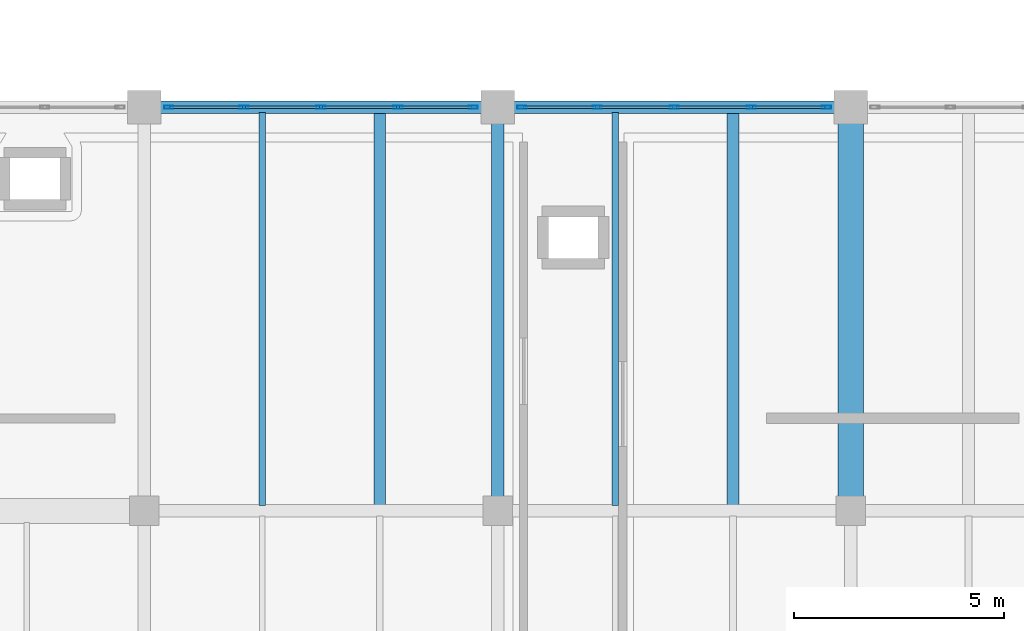
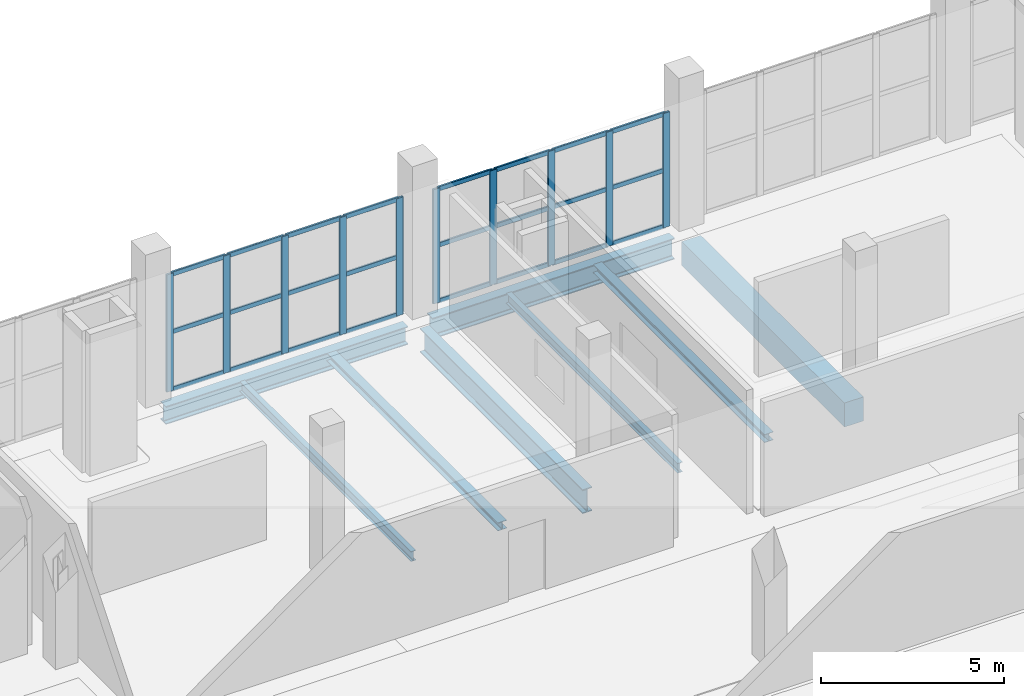
# One storey, part 18 of 77: 34 members, 8 beams, 2 elements without a shape of their own.
"""IFC4 building model written with IfcOpenShell, lengths in metres."""

from ifc_helpers import new_model, si_unit, direction, frame, origin, origin_2d, place, context, subcontext, project, spatial, rectangle, hollow_rectangle, i_section, extrude, material, layer, layer_set, material_profile, profile_set, type_object, element, aggregate, save


model = new_model("IFC4")

# Units and contexts
model_context = context("Model", 3, precision=1e-05, world=origin(), true_north=direction((0.0, 1.0)))
body_context = subcontext(model_context, "Body", "Model", "MODEL_VIEW")
ifc_project = project(units=[si_unit("LENGTHUNIT", "METRE"), si_unit("AREAUNIT", "SQUARE_METRE"), si_unit("VOLUMEUNIT", "CUBIC_METRE"), si_unit("PLANEANGLEUNIT", "RADIAN"), si_unit("MASSUNIT", "GRAM", prefix="KILO")], contexts=[model_context])

# Site, building, storey
site_placement = place(None, origin())
site = spatial("IfcSite", under=ifc_project, at=site_placement, CompositionType="ELEMENT")
building_placement = place(site_placement, origin())
building = spatial("IfcBuilding", under=site, at=building_placement, Name="Zulmaris Art Gallery", CompositionType="ELEMENT")
storey_placement = place(building_placement, frame((0.0, 0.0, 15.60009765625)))
storey = spatial("IfcBuildingStorey", under=building, at=storey_placement, Name="L03", CompositionType="ELEMENT", Elevation=15.60009765625)

# Beams
ifc_material_1 = material(Name="Steel S355J2", Category="steel")
ifc_material_profile_1 = material_profile(ifc_material_1, i_section(OverallWidth=0.300048828125, OverallDepth=0.60009765625, WebThickness=0.015380859375, FlangeThickness=0.030029296875, FilletRadius=0.027099609375, at=origin_2d()), Name="HEB 600")
ifc_profile_set_1 = profile_set([ifc_material_profile_1], Name="Steel S355J2")
beam_type_1 = type_object("IfcBeamType", Name="BEAM-BM15", PredefinedType="BEAM", material=ifc_profile_set_1)
beam_1_placement = place(storey_placement, frame((49.5849609375, 50.39990234375, -0.670166015625), z_axis=(1.0, 0.0, 0.0), x_axis=(0.0, 1.0, 0.0)))
element("IfcBeam", 1, at=beam_1_placement, inside=storey, type_object=beam_type_1, Name="L03 X-girder (49.2..57.6, y=50.4)", PredefinedType="BEAM", context=body_context, shape_type="SweptSolid", body=[
    extrude(i_section(OverallWidth=0.300048828125, OverallDepth=0.60009765625, WebThickness=0.015380859375, FlangeThickness=0.030029296875, FilletRadius=0.027099609375, at=origin_2d()), origin(), (0.0, 0.0, 1.0), 7.630126953125),
])
ifc_material_profile_2 = material_profile(ifc_material_1, i_section(OverallWidth=0.300048828125, OverallDepth=0.699951171875, WebThickness=0.01708984375, FlangeThickness=0.031982421875, FilletRadius=0.027099609375, at=origin_2d()), Name="HEB 700")
ifc_profile_set_2 = profile_set([ifc_material_profile_2], Name="Steel S355J2")
beam_type_2 = type_object("IfcBeamType", Name="BEAM-BM16", PredefinedType="BEAM", material=ifc_profile_set_2)
beam_2_placement = place(storey_placement, frame((57.985107421875, 50.39990234375, -0.72021484375), z_axis=(1.0, 0.0, 0.0), x_axis=(0.0, 1.0, 0.0)))
element("IfcBeam", 2, at=beam_2_placement, inside=storey, type_object=beam_type_2, Name="L03 X-girder (57.6..66.0, y=50.4)", PredefinedType="BEAM", context=body_context, shape_type="SweptSolid", body=[
    extrude(i_section(OverallWidth=0.300048828125, OverallDepth=0.699951171875, WebThickness=0.01708984375, FlangeThickness=0.031982421875, FilletRadius=0.027099609375, at=origin_2d()), origin(), (0.0, 0.0, 1.0), 7.6298828125),
])
ifc_material_profile_3 = material_profile(ifc_material_1, i_section(OverallWidth=0.300048828125, OverallDepth=0.800048828125, WebThickness=0.017578125, FlangeThickness=0.032958984375, FilletRadius=0.030029296875, at=origin_2d()), Name="HEB 800")
ifc_profile_set_3 = profile_set([ifc_material_profile_3], Name="Steel S355J2")
beam_type_3 = type_object("IfcBeamType", Name="BEAM-BM17", PredefinedType="BEAM", material=ifc_profile_set_3)
beam_3_placement = place(storey_placement, frame((57.60009765625, 41.135009765625, -0.77001953125), z_axis=(0.0, 1.0, 0.0), x_axis=(-1.0, 0.0, 0.0)))
element("IfcBeam", 3, at=beam_3_placement, inside=storey, type_object=beam_type_3, Name="L03 Y-girder (x=57.6, 40.8..50.4)", PredefinedType="BEAM", context=body_context, shape_type="SweptSolid", body=[
    extrude(i_section(OverallWidth=0.300048828125, OverallDepth=0.800048828125, WebThickness=0.017578125, FlangeThickness=0.032958984375, FilletRadius=0.030029296875, at=origin_2d()), origin(), (0.0, 0.0, 1.0), 8.8798828125),
])
ifc_material_2 = material(Name="Concrete C40/50", Category="concrete")
ifc_material_profile_4 = material_profile(ifc_material_2, rectangle(XDim=0.60009765625, YDim=0.800048828125, at=origin_2d()), Name="RC 600x800")
ifc_profile_set_4 = profile_set([ifc_material_profile_4], Name="Concrete C40/50")
beam_type_4 = type_object("IfcBeamType", Name="BEAM-BM27", PredefinedType="BEAM", material=ifc_profile_set_4)
beam_4_placement = place(storey_placement, frame((66.0, 41.135009765625, -0.77001953125), z_axis=(0.0, 1.0, 0.0), x_axis=(-1.0, 0.0, 0.0)))
element("IfcBeam", 4, at=beam_4_placement, inside=storey, type_object=beam_type_4, Name="L03 Y-girder (x=66.0, 40.8..50.4)", PredefinedType="BEAM", context=body_context, shape_type="SweptSolid", body=[
    extrude(rectangle(XDim=0.60009765625, YDim=0.800048828125, at=origin_2d()), origin(), (0.0, 0.0, 1.0), 8.8798828125),
])
ifc_material_profile_5 = material_profile(ifc_material_1, i_section(OverallWidth=0.159912109375, OverallDepth=0.330078125, WebThickness=0.007568359375, FlangeThickness=0.011474609375, FilletRadius=0.01806640625, at=origin_2d()), Name="IPE 330")
ifc_profile_set_5 = profile_set([ifc_material_profile_5], Name="Steel S355J2")
beam_type_5 = type_object("IfcBeamType", Name="BEAM-JS03", PredefinedType="JOIST", material=ifc_profile_set_5)
for number, where, z_axis, x_axis, name in (
    (5, (52.0, 40.925048828125, -0.53515625), (0.0, 1.0, 0.0), (-1.0, 0.0, 0.0), "L03 secondary joist at x=52.0"),
    (6, (60.39990234375, 40.925048828125, -0.53515625), (0.0, 1.0, 0.0), (-1.0, 0.0, 0.0), "L03 secondary joist at x=60.4"),
):
    element("IfcBeam", number, at=place(storey_placement, frame(where, z_axis=z_axis, x_axis=x_axis)), inside=storey, type_object=beam_type_5, Name=name, PredefinedType="JOIST", context=body_context, shape_type="SweptSolid", body=[
        extrude(i_section(OverallWidth=0.159912109375, OverallDepth=0.330078125, WebThickness=0.007568359375, FlangeThickness=0.011474609375, FilletRadius=0.01806640625, at=origin_2d()), origin(), (0.0, 0.0, 1.0), 9.349853515625),
    ])
ifc_material_profile_6 = material_profile(ifc_material_1, i_section(OverallWidth=0.280029296875, OverallDepth=0.27001953125, WebThickness=0.008056640625, FlangeThickness=0.012939453125, FilletRadius=0.02392578125, at=origin_2d()), Name="HEA 280")
ifc_profile_set_6 = profile_set([ifc_material_profile_6], Name="Steel S355J2")
beam_type_6 = type_object("IfcBeamType", Name="BEAM-JS04", PredefinedType="JOIST", material=ifc_profile_set_6)
for number, where, z_axis, x_axis, name in (
    (7, (54.800048828125, 40.925048828125, -0.505126953125), (0.0, 1.0, 0.0), (-1.0, 0.0, 0.0), "L03 secondary joist at x=54.8"),
    (8, (63.199951171875, 40.925048828125, -0.505126953125), (0.0, 1.0, 0.0), (-1.0, 0.0, 0.0), "L03 secondary joist at x=63.2"),
):
    element("IfcBeam", number, at=place(storey_placement, frame(where, z_axis=z_axis, x_axis=x_axis)), inside=storey, type_object=beam_type_6, Name=name, PredefinedType="JOIST", context=body_context, shape_type="SweptSolid", body=[
        extrude(i_section(OverallWidth=0.280029296875, OverallDepth=0.27001953125, WebThickness=0.008056640625, FlangeThickness=0.012939453125, FilletRadius=0.02392578125, at=origin_2d()), origin(), (0.0, 0.0, 1.0), 9.349853515625),
    ])

# Curtain wall, members
ifc_material_3 = material(Name="Unitised Low-E Gallery Curtain Wall", Category="aluminium")
ifc_layer = layer(ifc_material_3, 0.179931640625)
ifc_layer_set = layer_set([ifc_layer], Name="Unitised Low-E Gallery Curtain Wall")
curtain_wall_type = type_object("IfcCurtainWallType", Name="CW-CW01", PredefinedType="NOTDEFINED", material=ifc_layer_set)
curtain_wall_1_placement = place(storey_placement, origin())
curtain_wall_1 = element("IfcCurtainWall", 9, at=curtain_wall_1_placement, inside=storey, type_object=curtain_wall_type, Name="L03 curtain wall 10", PredefinedType="NOTDEFINED")
ifc_material_4 = material(Name="Anodised Bronze Aluminium", Category="aluminium")
ifc_material_profile_7 = material_profile(ifc_material_4, hollow_rectangle(XDim=0.074951171875, YDim=0.219970703125, WallThickness=0.0048828125, InnerFilletRadius=0.007568359375, OuterFilletRadius=0.012451171875, at=origin_2d()), Name="ALU 75x220x5")
ifc_profile_set_7 = profile_set([ifc_material_profile_7], Name="Anodised Bronze Aluminium")
member_type_1 = type_object("IfcMemberType", Name="CWMUL-02", PredefinedType="MULLION", material=ifc_profile_set_7)
member_1_placement = place(storey_placement, frame((57.0224609375, 50.39990234375, 0.0), z_axis=(0.0, 0.0, 1.0), x_axis=(0.0, -1.0, 0.0)))
member_1 = element("IfcMember", 10, at=member_1_placement, type_object=member_type_1, Name="CW01 mullion 1", PredefinedType="MULLION", context=body_context, shape_type="SweptSolid", body=[
    extrude(hollow_rectangle(XDim=0.074951171875, YDim=0.219970703125, WallThickness=0.0048828125, InnerFilletRadius=0.007568359375, OuterFilletRadius=0.012451171875, at=origin_2d()), origin(), (0.0, 0.0, 1.0), 3.909912109375),
])
member_2_placement = place(storey_placement, frame((55.22998046875, 50.39990234375, 0.0), z_axis=(0.0, 0.0, 1.0), x_axis=(0.0, -1.0, 0.0)))
member_2 = element("IfcMember", 11, at=member_2_placement, type_object=member_type_1, Name="CW01 mullion 2", PredefinedType="MULLION", context=body_context, shape_type="SweptSolid", body=[
    extrude(hollow_rectangle(XDim=0.074951171875, YDim=0.219970703125, WallThickness=0.0048828125, InnerFilletRadius=0.007568359375, OuterFilletRadius=0.012451171875, at=origin_2d()), origin(), (0.0, 0.0, 1.0), 3.909912109375),
])
member_3_placement = place(storey_placement, frame((53.39990234375, 50.39990234375, 0.0), z_axis=(0.0, 0.0, 1.0), x_axis=(0.0, -1.0, 0.0)))
member_3 = element("IfcMember", 12, at=member_3_placement, type_object=member_type_1, Name="CW01 mullion 3", PredefinedType="MULLION", context=body_context, shape_type="SweptSolid", body=[
    extrude(hollow_rectangle(XDim=0.074951171875, YDim=0.219970703125, WallThickness=0.0048828125, InnerFilletRadius=0.007568359375, OuterFilletRadius=0.012451171875, at=origin_2d()), origin(), (0.0, 0.0, 1.0), 3.909912109375),
])
member_4_placement = place(storey_placement, frame((51.570068359375, 50.39990234375, 0.0), z_axis=(0.0, 0.0, 1.0), x_axis=(0.0, -1.0, 0.0)))
member_4 = element("IfcMember", 13, at=member_4_placement, type_object=member_type_1, Name="CW01 mullion 4", PredefinedType="MULLION", context=body_context, shape_type="SweptSolid", body=[
    extrude(hollow_rectangle(XDim=0.074951171875, YDim=0.219970703125, WallThickness=0.0048828125, InnerFilletRadius=0.007568359375, OuterFilletRadius=0.012451171875, at=origin_2d()), origin(), (0.0, 0.0, 1.0), 3.909912109375),
])
member_5_placement = place(storey_placement, frame((49.777587890625, 50.39990234375, 0.0), z_axis=(0.0, 0.0, 1.0), x_axis=(0.0, -1.0, 0.0)))
member_5 = element("IfcMember", 14, at=member_5_placement, type_object=member_type_1, Name="CW01 mullion 5", PredefinedType="MULLION", context=body_context, shape_type="SweptSolid", body=[
    extrude(hollow_rectangle(XDim=0.074951171875, YDim=0.219970703125, WallThickness=0.0048828125, InnerFilletRadius=0.007568359375, OuterFilletRadius=0.012451171875, at=origin_2d()), origin(), (0.0, 0.0, 1.0), 3.909912109375),
])

curtain_wall_2_placement = place(storey_placement, origin())
curtain_wall_2 = element("IfcCurtainWall", 15, at=curtain_wall_2_placement, inside=storey, type_object=curtain_wall_type, Name="L03 curtain wall 12", PredefinedType="NOTDEFINED")
member_6_placement = place(storey_placement, frame((65.422607421875, 50.39990234375, 0.0), z_axis=(0.0, 0.0, 1.0), x_axis=(0.0, -1.0, 0.0)))
member_6 = element("IfcMember", 16, at=member_6_placement, type_object=member_type_1, Name="CW01 mullion 1", PredefinedType="MULLION", context=body_context, shape_type="SweptSolid", body=[
    extrude(hollow_rectangle(XDim=0.074951171875, YDim=0.219970703125, WallThickness=0.0048828125, InnerFilletRadius=0.007568359375, OuterFilletRadius=0.012451171875, at=origin_2d()), origin(), (0.0, 0.0, 1.0), 3.809814453125),
])
member_7_placement = place(storey_placement, frame((63.6298828125, 50.39990234375, 0.0), z_axis=(0.0, 0.0, 1.0), x_axis=(0.0, -1.0, 0.0)))
member_7 = element("IfcMember", 17, at=member_7_placement, type_object=member_type_1, Name="CW01 mullion 2", PredefinedType="MULLION", context=body_context, shape_type="SweptSolid", body=[
    extrude(hollow_rectangle(XDim=0.074951171875, YDim=0.219970703125, WallThickness=0.0048828125, InnerFilletRadius=0.007568359375, OuterFilletRadius=0.012451171875, at=origin_2d()), origin(), (0.0, 0.0, 1.0), 3.809814453125),
])
member_8_placement = place(storey_placement, frame((61.800048828125, 50.39990234375, 0.0), z_axis=(0.0, 0.0, 1.0), x_axis=(0.0, -1.0, 0.0)))
member_8 = element("IfcMember", 18, at=member_8_placement, type_object=member_type_1, Name="CW01 mullion 3", PredefinedType="MULLION", context=body_context, shape_type="SweptSolid", body=[
    extrude(hollow_rectangle(XDim=0.074951171875, YDim=0.219970703125, WallThickness=0.0048828125, InnerFilletRadius=0.007568359375, OuterFilletRadius=0.012451171875, at=origin_2d()), origin(), (0.0, 0.0, 1.0), 3.809814453125),
])
member_9_placement = place(storey_placement, frame((59.969970703125, 50.39990234375, 0.0), z_axis=(0.0, 0.0, 1.0), x_axis=(0.0, -1.0, 0.0)))
member_9 = element("IfcMember", 19, at=member_9_placement, type_object=member_type_1, Name="CW01 mullion 4", PredefinedType="MULLION", context=body_context, shape_type="SweptSolid", body=[
    extrude(hollow_rectangle(XDim=0.074951171875, YDim=0.219970703125, WallThickness=0.0048828125, InnerFilletRadius=0.007568359375, OuterFilletRadius=0.012451171875, at=origin_2d()), origin(), (0.0, 0.0, 1.0), 3.809814453125),
])
member_10_placement = place(storey_placement, frame((58.177490234375, 50.39990234375, 0.0), z_axis=(0.0, 0.0, 1.0), x_axis=(0.0, -1.0, 0.0)))
member_10 = element("IfcMember", 20, at=member_10_placement, type_object=member_type_1, Name="CW01 mullion 5", PredefinedType="MULLION", context=body_context, shape_type="SweptSolid", body=[
    extrude(hollow_rectangle(XDim=0.074951171875, YDim=0.219970703125, WallThickness=0.0048828125, InnerFilletRadius=0.007568359375, OuterFilletRadius=0.012451171875, at=origin_2d()), origin(), (0.0, 0.0, 1.0), 3.809814453125),
])

# Member
ifc_material_profile_8 = material_profile(ifc_material_4, hollow_rectangle(XDim=0.06494140625, YDim=0.14990234375, WallThickness=0.00390625, InnerFilletRadius=0.006103515625, OuterFilletRadius=0.010009765625, at=origin_2d()), Name="ALU 65x150x4")
ifc_profile_set_8 = profile_set([ifc_material_profile_8], Name="Anodised Bronze Aluminium")
member_type_2 = type_object("IfcMemberType", Name="CWTRN-01", PredefinedType="USERDEFINED", material=ifc_profile_set_8)
member_11_placement = place(storey_placement, frame((56.985107421875, 50.39990234375, 0.037353515625), z_axis=(-1.0, 0.0, 0.0), x_axis=(0.0, -1.0, 0.0)))
member_11 = element("IfcMember", 21, at=member_11_placement, type_object=member_type_2, Name="CW01 transom 1.1", ObjectType="TRANSOM", PredefinedType="USERDEFINED", context=body_context, shape_type="SweptSolid", body=[
    extrude(hollow_rectangle(XDim=0.06494140625, YDim=0.14990234375, WallThickness=0.00390625, InnerFilletRadius=0.006103515625, OuterFilletRadius=0.010009765625, at=origin_2d()), origin(), (0.0, 0.0, 1.0), 1.717529296875),
])

member_12_placement = place(storey_placement, frame((56.985107421875, 50.39990234375, 1.954833984375), z_axis=(-1.0, 0.0, 0.0), x_axis=(0.0, -1.0, 0.0)))
member_12 = element("IfcMember", 22, at=member_12_placement, type_object=member_type_2, Name="CW01 transom 1.2", ObjectType="TRANSOM", PredefinedType="USERDEFINED", context=body_context, shape_type="SweptSolid", body=[
    extrude(hollow_rectangle(XDim=0.06494140625, YDim=0.14990234375, WallThickness=0.00390625, InnerFilletRadius=0.006103515625, OuterFilletRadius=0.010009765625, at=origin_2d()), origin(), (0.0, 0.0, 1.0), 1.717529296875),
])

member_13_placement = place(storey_placement, frame((56.985107421875, 50.39990234375, 3.872314453125), z_axis=(-1.0, 0.0, 0.0), x_axis=(0.0, -1.0, 0.0)))
member_13 = element("IfcMember", 23, at=member_13_placement, type_object=member_type_2, Name="CW01 transom 1.3", ObjectType="TRANSOM", PredefinedType="USERDEFINED", context=body_context, shape_type="SweptSolid", body=[
    extrude(hollow_rectangle(XDim=0.06494140625, YDim=0.14990234375, WallThickness=0.00390625, InnerFilletRadius=0.006103515625, OuterFilletRadius=0.010009765625, at=origin_2d()), origin(), (0.0, 0.0, 1.0), 1.717529296875),
])

member_14_placement = place(storey_placement, frame((55.1923828125, 50.39990234375, 0.037353515625), z_axis=(-1.0, 0.0, 0.0), x_axis=(0.0, -1.0, 0.0)))
member_14 = element("IfcMember", 24, at=member_14_placement, type_object=member_type_2, Name="CW01 transom 2.1", ObjectType="TRANSOM", PredefinedType="USERDEFINED", context=body_context, shape_type="SweptSolid", body=[
    extrude(hollow_rectangle(XDim=0.06494140625, YDim=0.14990234375, WallThickness=0.00390625, InnerFilletRadius=0.006103515625, OuterFilletRadius=0.010009765625, at=origin_2d()), origin(), (0.0, 0.0, 1.0), 1.7548828125),
])

member_15_placement = place(storey_placement, frame((55.1923828125, 50.39990234375, 1.954833984375), z_axis=(-1.0, 0.0, 0.0), x_axis=(0.0, -1.0, 0.0)))
member_15 = element("IfcMember", 25, at=member_15_placement, type_object=member_type_2, Name="CW01 transom 2.2", ObjectType="TRANSOM", PredefinedType="USERDEFINED", context=body_context, shape_type="SweptSolid", body=[
    extrude(hollow_rectangle(XDim=0.06494140625, YDim=0.14990234375, WallThickness=0.00390625, InnerFilletRadius=0.006103515625, OuterFilletRadius=0.010009765625, at=origin_2d()), origin(), (0.0, 0.0, 1.0), 1.7548828125),
])

member_16_placement = place(storey_placement, frame((55.1923828125, 50.39990234375, 3.872314453125), z_axis=(-1.0, 0.0, 0.0), x_axis=(0.0, -1.0, 0.0)))
member_16 = element("IfcMember", 26, at=member_16_placement, type_object=member_type_2, Name="CW01 transom 2.3", ObjectType="TRANSOM", PredefinedType="USERDEFINED", context=body_context, shape_type="SweptSolid", body=[
    extrude(hollow_rectangle(XDim=0.06494140625, YDim=0.14990234375, WallThickness=0.00390625, InnerFilletRadius=0.006103515625, OuterFilletRadius=0.010009765625, at=origin_2d()), origin(), (0.0, 0.0, 1.0), 1.7548828125),
])

member_17_placement = place(storey_placement, frame((53.362548828125, 50.39990234375, 0.037353515625), z_axis=(-1.0, 0.0, 0.0), x_axis=(0.0, -1.0, 0.0)))
member_17 = element("IfcMember", 27, at=member_17_placement, type_object=member_type_2, Name="CW01 transom 3.1", ObjectType="TRANSOM", PredefinedType="USERDEFINED", context=body_context, shape_type="SweptSolid", body=[
    extrude(hollow_rectangle(XDim=0.06494140625, YDim=0.14990234375, WallThickness=0.00390625, InnerFilletRadius=0.006103515625, OuterFilletRadius=0.010009765625, at=origin_2d()), origin(), (0.0, 0.0, 1.0), 1.755126953125),
])

member_18_placement = place(storey_placement, frame((53.362548828125, 50.39990234375, 1.954833984375), z_axis=(-1.0, 0.0, 0.0), x_axis=(0.0, -1.0, 0.0)))
member_18 = element("IfcMember", 28, at=member_18_placement, type_object=member_type_2, Name="CW01 transom 3.2", ObjectType="TRANSOM", PredefinedType="USERDEFINED", context=body_context, shape_type="SweptSolid", body=[
    extrude(hollow_rectangle(XDim=0.06494140625, YDim=0.14990234375, WallThickness=0.00390625, InnerFilletRadius=0.006103515625, OuterFilletRadius=0.010009765625, at=origin_2d()), origin(), (0.0, 0.0, 1.0), 1.755126953125),
])

member_19_placement = place(storey_placement, frame((53.362548828125, 50.39990234375, 3.872314453125), z_axis=(-1.0, 0.0, 0.0), x_axis=(0.0, -1.0, 0.0)))
member_19 = element("IfcMember", 29, at=member_19_placement, type_object=member_type_2, Name="CW01 transom 3.3", ObjectType="TRANSOM", PredefinedType="USERDEFINED", context=body_context, shape_type="SweptSolid", body=[
    extrude(hollow_rectangle(XDim=0.06494140625, YDim=0.14990234375, WallThickness=0.00390625, InnerFilletRadius=0.006103515625, OuterFilletRadius=0.010009765625, at=origin_2d()), origin(), (0.0, 0.0, 1.0), 1.755126953125),
])

member_20_placement = place(storey_placement, frame((51.532470703125, 50.39990234375, 0.037353515625), z_axis=(-1.0, 0.0, 0.0), x_axis=(0.0, -1.0, 0.0)))
member_20 = element("IfcMember", 30, at=member_20_placement, type_object=member_type_2, Name="CW01 transom 4.1", ObjectType="TRANSOM", PredefinedType="USERDEFINED", context=body_context, shape_type="SweptSolid", body=[
    extrude(hollow_rectangle(XDim=0.06494140625, YDim=0.14990234375, WallThickness=0.00390625, InnerFilletRadius=0.006103515625, OuterFilletRadius=0.010009765625, at=origin_2d()), origin(), (0.0, 0.0, 1.0), 1.717529296875),
])

member_21_placement = place(storey_placement, frame((51.532470703125, 50.39990234375, 1.954833984375), z_axis=(-1.0, 0.0, 0.0), x_axis=(0.0, -1.0, 0.0)))
member_21 = element("IfcMember", 31, at=member_21_placement, type_object=member_type_2, Name="CW01 transom 4.2", ObjectType="TRANSOM", PredefinedType="USERDEFINED", context=body_context, shape_type="SweptSolid", body=[
    extrude(hollow_rectangle(XDim=0.06494140625, YDim=0.14990234375, WallThickness=0.00390625, InnerFilletRadius=0.006103515625, OuterFilletRadius=0.010009765625, at=origin_2d()), origin(), (0.0, 0.0, 1.0), 1.717529296875),
])

member_22_placement = place(storey_placement, frame((51.532470703125, 50.39990234375, 3.872314453125), z_axis=(-1.0, 0.0, 0.0), x_axis=(0.0, -1.0, 0.0)))
member_22 = element("IfcMember", 32, at=member_22_placement, type_object=member_type_2, Name="CW01 transom 4.3", ObjectType="TRANSOM", PredefinedType="USERDEFINED", context=body_context, shape_type="SweptSolid", body=[
    extrude(hollow_rectangle(XDim=0.06494140625, YDim=0.14990234375, WallThickness=0.00390625, InnerFilletRadius=0.006103515625, OuterFilletRadius=0.010009765625, at=origin_2d()), origin(), (0.0, 0.0, 1.0), 1.717529296875),
])

aggregate(curtain_wall_1, [member_1, member_2, member_3, member_4, member_5, member_11, member_12, member_13, member_14, member_15, member_16, member_17, member_18, member_19, member_20, member_21, member_22])

member_23_placement = place(storey_placement, frame((65.385009765625, 50.39990234375, 0.037353515625), z_axis=(-1.0, 0.0, 0.0), x_axis=(0.0, -1.0, 0.0)))
member_23 = element("IfcMember", 33, at=member_23_placement, type_object=member_type_2, Name="CW01 transom 1.1", ObjectType="TRANSOM", PredefinedType="USERDEFINED", context=body_context, shape_type="SweptSolid", body=[
    extrude(hollow_rectangle(XDim=0.06494140625, YDim=0.14990234375, WallThickness=0.00390625, InnerFilletRadius=0.006103515625, OuterFilletRadius=0.010009765625, at=origin_2d()), origin(), (0.0, 0.0, 1.0), 1.717529296875),
])

member_24_placement = place(storey_placement, frame((65.385009765625, 50.39990234375, 1.90478515625), z_axis=(-1.0, 0.0, 0.0), x_axis=(0.0, -1.0, 0.0)))
member_24 = element("IfcMember", 34, at=member_24_placement, type_object=member_type_2, Name="CW01 transom 1.2", ObjectType="TRANSOM", PredefinedType="USERDEFINED", context=body_context, shape_type="SweptSolid", body=[
    extrude(hollow_rectangle(XDim=0.06494140625, YDim=0.14990234375, WallThickness=0.00390625, InnerFilletRadius=0.006103515625, OuterFilletRadius=0.010009765625, at=origin_2d()), origin(), (0.0, 0.0, 1.0), 1.717529296875),
])

member_25_placement = place(storey_placement, frame((65.385009765625, 50.39990234375, 3.7724609375), z_axis=(-1.0, 0.0, 0.0), x_axis=(0.0, -1.0, 0.0)))
member_25 = element("IfcMember", 35, at=member_25_placement, type_object=member_type_2, Name="CW01 transom 1.3", ObjectType="TRANSOM", PredefinedType="USERDEFINED", context=body_context, shape_type="SweptSolid", body=[
    extrude(hollow_rectangle(XDim=0.06494140625, YDim=0.14990234375, WallThickness=0.00390625, InnerFilletRadius=0.006103515625, OuterFilletRadius=0.010009765625, at=origin_2d()), origin(), (0.0, 0.0, 1.0), 1.717529296875),
])

member_26_placement = place(storey_placement, frame((63.592529296875, 50.39990234375, 0.037353515625), z_axis=(-1.0, 0.0, 0.0), x_axis=(0.0, -1.0, 0.0)))
member_26 = element("IfcMember", 36, at=member_26_placement, type_object=member_type_2, Name="CW01 transom 2.1", ObjectType="TRANSOM", PredefinedType="USERDEFINED", context=body_context, shape_type="SweptSolid", body=[
    extrude(hollow_rectangle(XDim=0.06494140625, YDim=0.14990234375, WallThickness=0.00390625, InnerFilletRadius=0.006103515625, OuterFilletRadius=0.010009765625, at=origin_2d()), origin(), (0.0, 0.0, 1.0), 1.755126953125),
])

member_27_placement = place(storey_placement, frame((63.592529296875, 50.39990234375, 1.90478515625), z_axis=(-1.0, 0.0, 0.0), x_axis=(0.0, -1.0, 0.0)))
member_27 = element("IfcMember", 37, at=member_27_placement, type_object=member_type_2, Name="CW01 transom 2.2", ObjectType="TRANSOM", PredefinedType="USERDEFINED", context=body_context, shape_type="SweptSolid", body=[
    extrude(hollow_rectangle(XDim=0.06494140625, YDim=0.14990234375, WallThickness=0.00390625, InnerFilletRadius=0.006103515625, OuterFilletRadius=0.010009765625, at=origin_2d()), origin(), (0.0, 0.0, 1.0), 1.755126953125),
])

member_28_placement = place(storey_placement, frame((63.592529296875, 50.39990234375, 3.7724609375), z_axis=(-1.0, 0.0, 0.0), x_axis=(0.0, -1.0, 0.0)))
member_28 = element("IfcMember", 38, at=member_28_placement, type_object=member_type_2, Name="CW01 transom 2.3", ObjectType="TRANSOM", PredefinedType="USERDEFINED", context=body_context, shape_type="SweptSolid", body=[
    extrude(hollow_rectangle(XDim=0.06494140625, YDim=0.14990234375, WallThickness=0.00390625, InnerFilletRadius=0.006103515625, OuterFilletRadius=0.010009765625, at=origin_2d()), origin(), (0.0, 0.0, 1.0), 1.755126953125),
])

member_29_placement = place(storey_placement, frame((61.762451171875, 50.39990234375, 0.037353515625), z_axis=(-1.0, 0.0, 0.0), x_axis=(0.0, -1.0, 0.0)))
member_29 = element("IfcMember", 39, at=member_29_placement, type_object=member_type_2, Name="CW01 transom 3.1", ObjectType="TRANSOM", PredefinedType="USERDEFINED", context=body_context, shape_type="SweptSolid", body=[
    extrude(hollow_rectangle(XDim=0.06494140625, YDim=0.14990234375, WallThickness=0.00390625, InnerFilletRadius=0.006103515625, OuterFilletRadius=0.010009765625, at=origin_2d()), origin(), (0.0, 0.0, 1.0), 1.7548828125),
])

member_30_placement = place(storey_placement, frame((61.762451171875, 50.39990234375, 1.90478515625), z_axis=(-1.0, 0.0, 0.0), x_axis=(0.0, -1.0, 0.0)))
member_30 = element("IfcMember", 40, at=member_30_placement, type_object=member_type_2, Name="CW01 transom 3.2", ObjectType="TRANSOM", PredefinedType="USERDEFINED", context=body_context, shape_type="SweptSolid", body=[
    extrude(hollow_rectangle(XDim=0.06494140625, YDim=0.14990234375, WallThickness=0.00390625, InnerFilletRadius=0.006103515625, OuterFilletRadius=0.010009765625, at=origin_2d()), origin(), (0.0, 0.0, 1.0), 1.7548828125),
])

member_31_placement = place(storey_placement, frame((61.762451171875, 50.39990234375, 3.7724609375), z_axis=(-1.0, 0.0, 0.0), x_axis=(0.0, -1.0, 0.0)))
member_31 = element("IfcMember", 41, at=member_31_placement, type_object=member_type_2, Name="CW01 transom 3.3", ObjectType="TRANSOM", PredefinedType="USERDEFINED", context=body_context, shape_type="SweptSolid", body=[
    extrude(hollow_rectangle(XDim=0.06494140625, YDim=0.14990234375, WallThickness=0.00390625, InnerFilletRadius=0.006103515625, OuterFilletRadius=0.010009765625, at=origin_2d()), origin(), (0.0, 0.0, 1.0), 1.7548828125),
])

member_32_placement = place(storey_placement, frame((59.9326171875, 50.39990234375, 0.037353515625), z_axis=(-1.0, 0.0, 0.0), x_axis=(0.0, -1.0, 0.0)))
member_32 = element("IfcMember", 42, at=member_32_placement, type_object=member_type_2, Name="CW01 transom 4.1", ObjectType="TRANSOM", PredefinedType="USERDEFINED", context=body_context, shape_type="SweptSolid", body=[
    extrude(hollow_rectangle(XDim=0.06494140625, YDim=0.14990234375, WallThickness=0.00390625, InnerFilletRadius=0.006103515625, OuterFilletRadius=0.010009765625, at=origin_2d()), origin(), (0.0, 0.0, 1.0), 1.717529296875),
])

member_33_placement = place(storey_placement, frame((59.9326171875, 50.39990234375, 1.90478515625), z_axis=(-1.0, 0.0, 0.0), x_axis=(0.0, -1.0, 0.0)))
member_33 = element("IfcMember", 43, at=member_33_placement, type_object=member_type_2, Name="CW01 transom 4.2", ObjectType="TRANSOM", PredefinedType="USERDEFINED", context=body_context, shape_type="SweptSolid", body=[
    extrude(hollow_rectangle(XDim=0.06494140625, YDim=0.14990234375, WallThickness=0.00390625, InnerFilletRadius=0.006103515625, OuterFilletRadius=0.010009765625, at=origin_2d()), origin(), (0.0, 0.0, 1.0), 1.717529296875),
])

member_34_placement = place(storey_placement, frame((59.9326171875, 50.39990234375, 3.7724609375), z_axis=(-1.0, 0.0, 0.0), x_axis=(0.0, -1.0, 0.0)))
member_34 = element("IfcMember", 44, at=member_34_placement, type_object=member_type_2, Name="CW01 transom 4.3", ObjectType="TRANSOM", PredefinedType="USERDEFINED", context=body_context, shape_type="SweptSolid", body=[
    extrude(hollow_rectangle(XDim=0.06494140625, YDim=0.14990234375, WallThickness=0.00390625, InnerFilletRadius=0.006103515625, OuterFilletRadius=0.010009765625, at=origin_2d()), origin(), (0.0, 0.0, 1.0), 1.717529296875),
])

aggregate(curtain_wall_2, [member_6, member_7, member_8, member_9, member_10, member_23, member_24, member_25, member_26, member_27, member_28, member_29, member_30, member_31, member_32, member_33, member_34])

save(model, "model.ifc")
